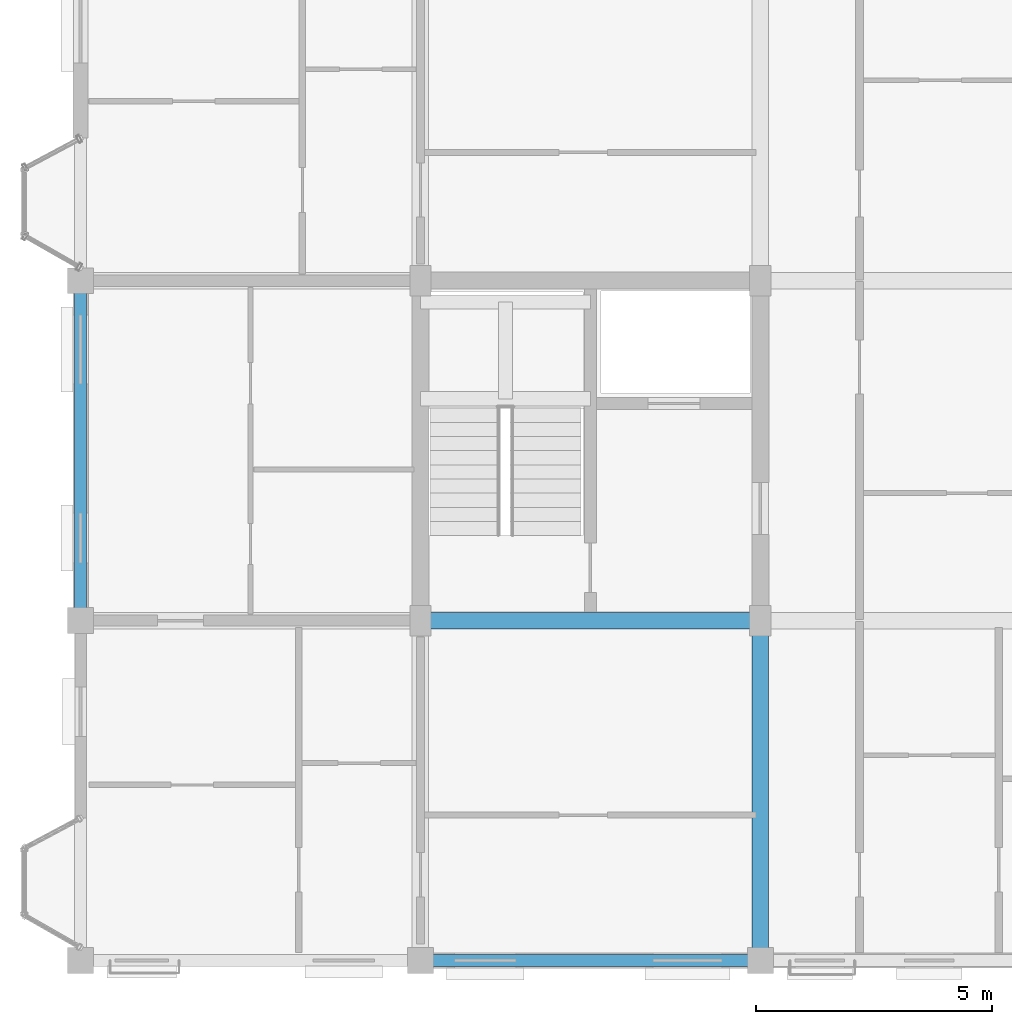
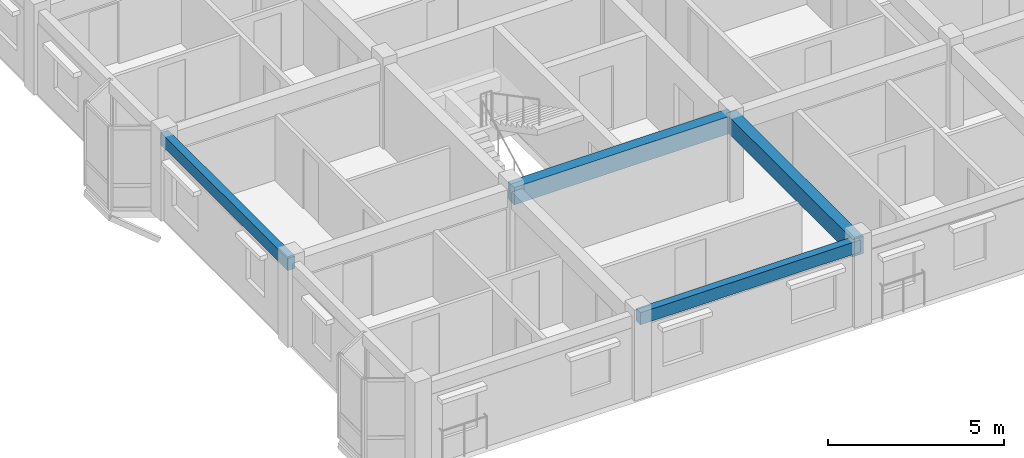
# One storey, part 3 of 75: 4 beams.
"""IFC4 building model written with IfcOpenShell, lengths in metres."""

import ifcopenshell
import ifcopenshell.guid

model = None  # the IFC model being written
_history = None  # IfcOwnerHistory: only IFC2X3 demands one
_inside = {}  # id of a spatial element -> (the spatial element, [elements in it])
_under = {}  # id of a project, library or spatial element -> (it, [spatial elements below it])
_declared = {}  # id of a project -> (the project, [libraries it declares])
_typed = {}  # id of a type object -> (the type object, [elements of that type])
_made_of = {}  # id of a material, layer set ... -> (it, [elements and type objects made of it])


def new_model(schema):
    """Start an empty IFC model of exactly this schema.

    Asked for "IFC4X3", IfcOpenShell would pick the latest addendum, in which some entities
    have other attributes; the version numbers below select the first issue.
    IFC2X3 requires an IfcOwnerHistory on every rooted entity: one is made here for all.
    """
    global model, _history
    if schema == "IFC4X3":
        model = ifcopenshell.file(schema_version=(4, 3, 0, 0))
    else:
        model = ifcopenshell.file(schema=schema)
    _inside.clear()
    _under.clear()
    _declared.clear()
    _typed.clear()
    _made_of.clear()
    _history = None
    if model.schema == "IFC2X3":
        org = make("IfcOrganization", Name="unknown")
        user = make(
            "IfcPersonAndOrganization",
            ThePerson=make("IfcPerson", FamilyName="unknown"),
            TheOrganization=org,
        )
        app = make(
            "IfcApplication",
            ApplicationDeveloper=org,
            Version="unknown",
            ApplicationFullName="unknown",
            ApplicationIdentifier="unknown",
        )
        _history = make(
            "IfcOwnerHistory",
            OwningUser=user,
            OwningApplication=app,
            ChangeAction="ADDED",
            CreationDate=0,
        )
    return model


def make(cls, **values):
    """One entity of the class cls with the attributes given. An attribute that is None is left unset."""
    return model.create_entity(
        cls, **{name: value for name, value in values.items() if value is not None}
    )


def rooted(cls, **values):
    """An entity with a GlobalId (a new one), such as an element, a storey or a relation."""
    return make(cls, GlobalId=ifcopenshell.guid.new(), OwnerHistory=_history, **values)


def si_unit(unit_type, name, prefix=None):
    """IfcSIUnit, for example si_unit("LENGTHUNIT", "METRE", prefix="MILLI")."""
    return make("IfcSIUnit", UnitType=unit_type, Prefix=prefix, Name=name)


def assignment(units):
    """IfcUnitAssignment: the units of a project."""
    return None if units is None else make("IfcUnitAssignment", Units=units)


def point(xyz):
    """IfcCartesianPoint."""
    return None if xyz is None else make("IfcCartesianPoint", Coordinates=xyz)


def direction(xyz):
    """IfcDirection."""
    return None if xyz is None else make("IfcDirection", DirectionRatios=xyz)


def frame(location, z_axis=None, x_axis=None):
    """IfcAxis2Placement3D, a coordinate frame: its origin and axes. An axis left out is left unset."""
    return make(
        "IfcAxis2Placement3D",
        Location=point(location),
        Axis=direction(z_axis),
        RefDirection=direction(x_axis),
    )


def frame_2d(location, x_axis=None):
    """IfcAxis2Placement2D, a coordinate frame in the plane: its origin and x axis."""
    return make(
        "IfcAxis2Placement2D", Location=point(location), RefDirection=direction(x_axis)
    )


def origin():
    """The frame at (0, 0, 0) with its axes left unset."""
    return frame((0.0, 0.0, 0.0))


def origin_2d():
    """The frame at (0, 0) in the plane with its x axis left unset."""
    return frame_2d((0.0, 0.0))


def place(relative_to, where):
    """IfcLocalPlacement: puts the frame where relative to a parent placement (None: the world)."""
    return make(
        "IfcLocalPlacement", PlacementRelTo=relative_to, RelativePlacement=where
    )


def context(
    kind, dimensions, precision=None, world=None, true_north=None, identifier=None
):
    """IfcGeometricRepresentationContext, for example the 3D "Model" context."""
    return make(
        "IfcGeometricRepresentationContext",
        ContextIdentifier=identifier,
        ContextType=kind,
        CoordinateSpaceDimension=dimensions,
        Precision=precision,
        WorldCoordinateSystem=world,
        TrueNorth=true_north,
    )


def subcontext(parent, identifier, kind, view, scale=None):
    """IfcGeometricRepresentationSubContext, for example "Body" below "Model"."""
    return make(
        "IfcGeometricRepresentationSubContext",
        ContextIdentifier=identifier,
        ContextType=kind,
        ParentContext=parent,
        TargetScale=scale,
        TargetView=view,
    )


def project(units=None, contexts=None):
    """IfcProject with its units and contexts."""
    return rooted(
        "IfcProject",
        Name="project",
        RepresentationContexts=contexts,
        UnitsInContext=assignment(units),
    )


def spatial(cls, under=None, at=None, **own):
    """A site, building, storey or space (cls), placed at a placement, below another one or the project."""
    s = rooted(cls, ObjectPlacement=at, **own)
    if under is not None:
        _under.setdefault(under.id(), (under, []))[1].append(s)
    return s


def profile(cls, at=None, kind="AREA", **sizes):
    """A parametric profile (cls). Its sizes go by their IFC names, for example OverallWidth=200.0."""
    return make(cls, ProfileType=kind, Position=at, **sizes)


def rectangle(**sizes):
    """IfcRectangleProfileDef."""
    return profile("IfcRectangleProfileDef", **sizes)


def extrude(swept, where, along, depth):
    """IfcExtrudedAreaSolid: the profile swept, set in the frame where, extruded along a direction by depth."""
    return make(
        "IfcExtrudedAreaSolid",
        SweptArea=swept,
        Position=where,
        ExtrudedDirection=direction(along),
        Depth=depth,
    )


def shape(context_of_items, identifier, shape_type, items):
    """IfcShapeRepresentation: the items that make up one representation, for example the "Body"."""
    return make(
        "IfcShapeRepresentation",
        ContextOfItems=context_of_items,
        RepresentationIdentifier=identifier,
        RepresentationType=shape_type,
        Items=items,
    )


def material(Name=None, Category=None):
    """IfcMaterial."""
    return make("IfcMaterial", Name=Name, Category=Category)


def material_profile(
    of_material, cross_section, Name=None, Category=None, Priority=None
):
    """IfcMaterialProfile: a cross section and its material."""
    return make(
        "IfcMaterialProfile",
        Name=Name,
        Material=of_material,
        Profile=cross_section,
        Priority=Priority,
        Category=Category,
    )


def profile_set(profiles, Name=None, composite=None):
    """IfcMaterialProfileSet."""
    return make(
        "IfcMaterialProfileSet",
        Name=Name,
        MaterialProfiles=profiles,
        CompositeProfile=composite,
    )


def made_of(thing, what):
    """Note that an element or type object is made of a material, layer set ...; save() writes the relation."""
    if what is not None:
        _made_of.setdefault(what.id(), (what, []))[1].append(thing)
    return thing


def type_object(cls, material=None, **own):
    """A type object (cls), such as IfcWallType, which elements share."""
    return made_of(rooted(cls, **own), material)


def element(
    cls,
    number,
    at=None,
    inside=None,
    cuts=None,
    type_object=None,
    material=None,
    context=None,
    identifier="Body",
    shape_type=None,
    held_by="IfcProductDefinitionShape",
    body=None,
    shapes=None,
    **own,
):
    """One element of the class cls, such as IfcWall. Its Tag is "e" and its number.

    at: its placement. inside: the storey or other place that contains it. cuts: it is an
    opening in that element (IfcRelVoidsElement). A single representation is given by context,
    identifier, shape_type and body (its items); several are given by shapes. held_by: the class
    of the entity that holds the representations. save() writes the other relations.
    """
    e = rooted(cls, Tag="e%d" % number, ObjectPlacement=at, **own)
    if body is not None:
        shapes = [shape(context, identifier, shape_type, body)]
    if shapes is not None:
        e.Representation = make(held_by, Representations=shapes)
    if inside is not None:
        _inside.setdefault(inside.id(), (inside, []))[1].append(e)
    if cuts is not None:
        rooted(
            "IfcRelVoidsElement", RelatingBuildingElement=cuts, RelatedOpeningElement=e
        )
    if type_object is not None:
        _typed.setdefault(type_object.id(), (type_object, []))[1].append(e)
    return made_of(e, material)


def aggregate(whole, parts):
    """IfcRelAggregates: a whole, such as a stair, and the parts it consists of."""
    return rooted("IfcRelAggregates", RelatingObject=whole, RelatedObjects=parts)


def save(model, path):
    """Write the relations noted so far, then the file.

    IfcRelAggregates (storeys below a building ...), IfcRelContainedInSpatialStructure (elements
    in a storey), IfcRelDefinesByType, IfcRelAssociatesMaterial and IfcRelDeclares: one each for
    every whole, place, type object, material and project.
    """
    for whole, parts in _under.values():
        aggregate(whole, parts)
    for where, things in _inside.values():
        rooted(
            "IfcRelContainedInSpatialStructure",
            RelatedElements=things,
            RelatingStructure=where,
        )
    for kind, things in _typed.values():
        rooted("IfcRelDefinesByType", RelatedObjects=things, RelatingType=kind)
    for what, things in _made_of.values():
        rooted("IfcRelAssociatesMaterial", RelatedObjects=things, RelatingMaterial=what)
    for by, libraries in _declared.values():
        rooted("IfcRelDeclares", RelatingContext=by, RelatedDefinitions=libraries)
    model.write(path)


model = new_model("IFC4")

# Units and contexts
model_context = context("Model", 3, precision=1e-05, world=origin(), true_north=direction((0.0, 1.0)))
body_context = subcontext(model_context, "Body", "Model", "MODEL_VIEW")
ifc_project = project(units=[si_unit("LENGTHUNIT", "METRE"), si_unit("AREAUNIT", "SQUARE_METRE"), si_unit("VOLUMEUNIT", "CUBIC_METRE"), si_unit("PLANEANGLEUNIT", "RADIAN"), si_unit("MASSUNIT", "GRAM", prefix="KILO"), si_unit("THERMODYNAMICTEMPERATUREUNIT", "KELVIN"), si_unit("POWERUNIT", "WATT")], contexts=[model_context])

# Site, building, storey
site_placement = place(None, origin())
site = spatial("IfcSite", under=ifc_project, at=site_placement, CompositionType="ELEMENT")
building_placement = place(site_placement, origin())
building = spatial("IfcBuilding", under=site, at=building_placement, Name="Tavuni Mirador Residences", CompositionType="ELEMENT")
storey_placement = place(building_placement, frame((0.0, 0.0, 20.25)))
storey = spatial("IfcBuildingStorey", under=building, at=storey_placement, Name="L06", CompositionType="ELEMENT", Elevation=20.25)

# Beams
ifc_material = material(Name="Precast concrete C40/50", Category="concrete")
ifc_material_profile_1 = material_profile(ifc_material, rectangle(XDim=0.35009765625, YDim=0.60009765625, at=origin_2d()), Name="PC 350x600", Category="concrete")
ifc_profile_set_1 = profile_set([ifc_material_profile_1], Name="Precast concrete C40/50")
beam_type_1 = type_object("IfcBeamType", Name="BT-B600", PredefinedType="BEAM", material=ifc_profile_set_1)
for number, where, z_axis, x_axis, name in (
    (1, (10.800048828125, 14.39990234375, 2.570068359375), (1.0, 0.0, 0.0), (0.0, 1.0, 0.0), "BMX-BLK-A-L06-01-01"),
    (2, (18.0, 7.199951171875, 2.570068359375), (0.0, 1.0, 0.0), (-1.0, 0.0, 0.0), "BMY-BLK-A-L06-02-00"),
):
    element("IfcBeam", number, at=place(storey_placement, frame(where, z_axis=z_axis, x_axis=x_axis)), inside=storey, type_object=beam_type_1, Name=name, PredefinedType="BEAM", context=body_context, shape_type="SweptSolid", body=[
        extrude(rectangle(XDim=0.35009765625, YDim=0.60009765625, at=origin_2d()), origin(), (0.0, 0.0, 1.0), 7.199951171875),
    ])
ifc_material_profile_2 = material_profile(ifc_material, rectangle(XDim=0.25, YDim=0.419921875, at=origin_2d()), Name="PC 250x420", Category="concrete")
ifc_profile_set_2 = profile_set([ifc_material_profile_2], Name="Precast concrete C40/50")
beam_type_2 = type_object("IfcBeamType", Name="BT-SP420", PredefinedType="SPANDREL", material=ifc_profile_set_2)
beam_1_placement = place(storey_placement, frame((10.800048828125, 7.199951171875, 2.659912109375), z_axis=(1.0, 0.0, 0.0), x_axis=(0.0, 1.0, 0.0)))
element("IfcBeam", 3, at=beam_1_placement, inside=storey, type_object=beam_type_2, Name="BMX-BLK-A-L06-01-00", PredefinedType="SPANDREL", context=body_context, shape_type="SweptSolid", body=[
    extrude(rectangle(XDim=0.25, YDim=0.419921875, at=origin_2d()), origin(), (0.0, 0.0, 1.0), 7.199951171875),
])
beam_2_placement = place(storey_placement, frame((3.60009765625, 14.39990234375, 2.659912109375), z_axis=(0.0, 1.0, 0.0), x_axis=(-1.0, 0.0, 0.0)))
element("IfcBeam", 4, at=beam_2_placement, inside=storey, type_object=beam_type_2, Name="BMY-BLK-A-L06-00-01", PredefinedType="SPANDREL", context=body_context, shape_type="SweptSolid", body=[
    extrude(rectangle(XDim=0.25, YDim=0.419921875, at=origin_2d()), origin(), (0.0, 0.0, 1.0), 7.2001953125),
])

save(model, "model.ifc")
